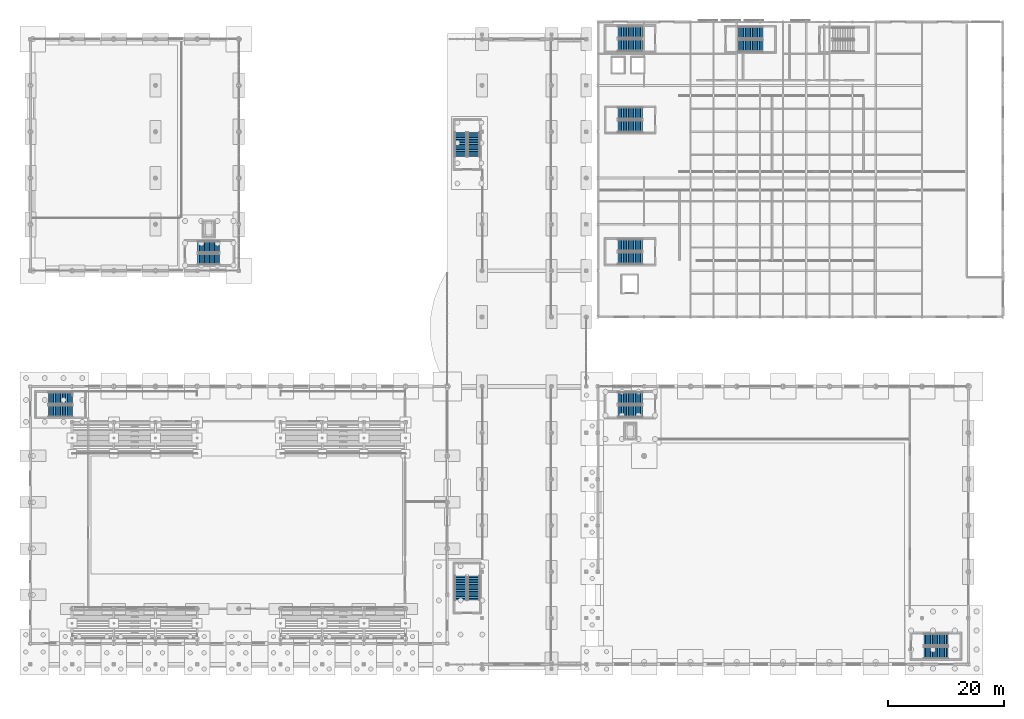
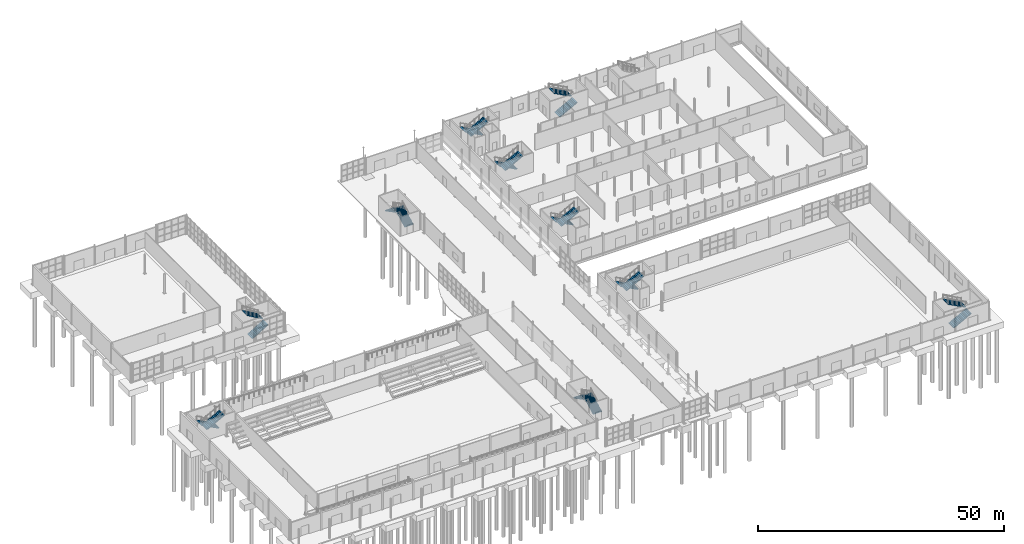
# One storey, part 84 of 101: 20 stair flights, 10 elements without a shape of their own.
"""IFC4 building model written with IfcOpenShell, lengths in metres."""

import ifcopenshell
import ifcopenshell.guid

model = None  # the IFC model being written
_history = None  # IfcOwnerHistory: only IFC2X3 demands one
_inside = {}  # id of a spatial element -> (the spatial element, [elements in it])
_under = {}  # id of a project, library or spatial element -> (it, [spatial elements below it])
_declared = {}  # id of a project -> (the project, [libraries it declares])
_typed = {}  # id of a type object -> (the type object, [elements of that type])
_made_of = {}  # id of a material, layer set ... -> (it, [elements and type objects made of it])


def new_model(schema):
    """Start an empty IFC model of exactly this schema.

    Asked for "IFC4X3", IfcOpenShell would pick the latest addendum, in which some entities
    have other attributes; the version numbers below select the first issue.
    IFC2X3 requires an IfcOwnerHistory on every rooted entity: one is made here for all.
    """
    global model, _history
    if schema == "IFC4X3":
        model = ifcopenshell.file(schema_version=(4, 3, 0, 0))
    else:
        model = ifcopenshell.file(schema=schema)
    _inside.clear()
    _under.clear()
    _declared.clear()
    _typed.clear()
    _made_of.clear()
    _history = None
    if model.schema == "IFC2X3":
        org = make("IfcOrganization", Name="unknown")
        user = make(
            "IfcPersonAndOrganization",
            ThePerson=make("IfcPerson", FamilyName="unknown"),
            TheOrganization=org,
        )
        app = make(
            "IfcApplication",
            ApplicationDeveloper=org,
            Version="unknown",
            ApplicationFullName="unknown",
            ApplicationIdentifier="unknown",
        )
        _history = make(
            "IfcOwnerHistory",
            OwningUser=user,
            OwningApplication=app,
            ChangeAction="ADDED",
            CreationDate=0,
        )
    return model


def make(cls, **values):
    """One entity of the class cls with the attributes given. An attribute that is None is left unset."""
    return model.create_entity(
        cls, **{name: value for name, value in values.items() if value is not None}
    )


def rooted(cls, **values):
    """An entity with a GlobalId (a new one), such as an element, a storey or a relation."""
    return make(cls, GlobalId=ifcopenshell.guid.new(), OwnerHistory=_history, **values)


def si_unit(unit_type, name, prefix=None):
    """IfcSIUnit, for example si_unit("LENGTHUNIT", "METRE", prefix="MILLI")."""
    return make("IfcSIUnit", UnitType=unit_type, Prefix=prefix, Name=name)


def derived_unit(unit_type, elements):
    """IfcDerivedUnit: a product of units, each with its exponent."""
    return make(
        "IfcDerivedUnit",
        Elements=[
            make("IfcDerivedUnitElement", Unit=unit, Exponent=power)
            for unit, power in elements
        ],
        UnitType=unit_type,
    )


def assignment(units):
    """IfcUnitAssignment: the units of a project."""
    return None if units is None else make("IfcUnitAssignment", Units=units)


def point(xyz):
    """IfcCartesianPoint."""
    return None if xyz is None else make("IfcCartesianPoint", Coordinates=xyz)


def direction(xyz):
    """IfcDirection."""
    return None if xyz is None else make("IfcDirection", DirectionRatios=xyz)


def frame(location, z_axis=None, x_axis=None):
    """IfcAxis2Placement3D, a coordinate frame: its origin and axes. An axis left out is left unset."""
    return make(
        "IfcAxis2Placement3D",
        Location=point(location),
        Axis=direction(z_axis),
        RefDirection=direction(x_axis),
    )


def origin():
    """The frame at (0, 0, 0) with its axes left unset."""
    return frame((0.0, 0.0, 0.0))


def place(relative_to, where):
    """IfcLocalPlacement: puts the frame where relative to a parent placement (None: the world)."""
    return make(
        "IfcLocalPlacement", PlacementRelTo=relative_to, RelativePlacement=where
    )


def context(
    kind, dimensions, precision=None, world=None, true_north=None, identifier=None
):
    """IfcGeometricRepresentationContext, for example the 3D "Model" context."""
    return make(
        "IfcGeometricRepresentationContext",
        ContextIdentifier=identifier,
        ContextType=kind,
        CoordinateSpaceDimension=dimensions,
        Precision=precision,
        WorldCoordinateSystem=world,
        TrueNorth=true_north,
    )


def subcontext(parent, identifier, kind, view, scale=None):
    """IfcGeometricRepresentationSubContext, for example "Body" below "Model"."""
    return make(
        "IfcGeometricRepresentationSubContext",
        ContextIdentifier=identifier,
        ContextType=kind,
        ParentContext=parent,
        TargetScale=scale,
        TargetView=view,
    )


def project(units=None, contexts=None):
    """IfcProject with its units and contexts."""
    return rooted(
        "IfcProject",
        Name="project",
        RepresentationContexts=contexts,
        UnitsInContext=assignment(units),
    )


def spatial(cls, under=None, at=None, **own):
    """A site, building, storey or space (cls), placed at a placement, below another one or the project."""
    s = rooted(cls, ObjectPlacement=at, **own)
    if under is not None:
        _under.setdefault(under.id(), (under, []))[1].append(s)
    return s


def polyline(points):
    """IfcPolyline through the points."""
    return make("IfcPolyline", Points=[point(p) for p in points])


def outline(outer, holes=None, kind="AREA"):
    """IfcArbitraryClosedProfileDef: a profile drawn as a closed curve; with holes, ...WithVoids."""
    if holes is None:
        return make("IfcArbitraryClosedProfileDef", ProfileType=kind, OuterCurve=outer)
    return make(
        "IfcArbitraryProfileDefWithVoids",
        ProfileType=kind,
        OuterCurve=outer,
        InnerCurves=holes,
    )


def extrude(swept, where, along, depth):
    """IfcExtrudedAreaSolid: the profile swept, set in the frame where, extruded along a direction by depth."""
    return make(
        "IfcExtrudedAreaSolid",
        SweptArea=swept,
        Position=where,
        ExtrudedDirection=direction(along),
        Depth=depth,
    )


def shape(context_of_items, identifier, shape_type, items):
    """IfcShapeRepresentation: the items that make up one representation, for example the "Body"."""
    return make(
        "IfcShapeRepresentation",
        ContextOfItems=context_of_items,
        RepresentationIdentifier=identifier,
        RepresentationType=shape_type,
        Items=items,
    )


def material(Name=None, Category=None):
    """IfcMaterial."""
    return make("IfcMaterial", Name=Name, Category=Category)


def made_of(thing, what):
    """Note that an element or type object is made of a material, layer set ...; save() writes the relation."""
    if what is not None:
        _made_of.setdefault(what.id(), (what, []))[1].append(thing)
    return thing


def type_object(cls, material=None, **own):
    """A type object (cls), such as IfcWallType, which elements share."""
    return made_of(rooted(cls, **own), material)


def element(
    cls,
    number,
    at=None,
    inside=None,
    cuts=None,
    type_object=None,
    material=None,
    context=None,
    identifier="Body",
    shape_type=None,
    held_by="IfcProductDefinitionShape",
    body=None,
    shapes=None,
    **own,
):
    """One element of the class cls, such as IfcWall. Its Tag is "e" and its number.

    at: its placement. inside: the storey or other place that contains it. cuts: it is an
    opening in that element (IfcRelVoidsElement). A single representation is given by context,
    identifier, shape_type and body (its items); several are given by shapes. held_by: the class
    of the entity that holds the representations. save() writes the other relations.
    """
    e = rooted(cls, Tag="e%d" % number, ObjectPlacement=at, **own)
    if body is not None:
        shapes = [shape(context, identifier, shape_type, body)]
    if shapes is not None:
        e.Representation = make(held_by, Representations=shapes)
    if inside is not None:
        _inside.setdefault(inside.id(), (inside, []))[1].append(e)
    if cuts is not None:
        rooted(
            "IfcRelVoidsElement", RelatingBuildingElement=cuts, RelatedOpeningElement=e
        )
    if type_object is not None:
        _typed.setdefault(type_object.id(), (type_object, []))[1].append(e)
    return made_of(e, material)


def aggregate(whole, parts):
    """IfcRelAggregates: a whole, such as a stair, and the parts it consists of."""
    return rooted("IfcRelAggregates", RelatingObject=whole, RelatedObjects=parts)


def save(model, path):
    """Write the relations noted so far, then the file.

    IfcRelAggregates (storeys below a building ...), IfcRelContainedInSpatialStructure (elements
    in a storey), IfcRelDefinesByType, IfcRelAssociatesMaterial and IfcRelDeclares: one each for
    every whole, place, type object, material and project.
    """
    for whole, parts in _under.values():
        aggregate(whole, parts)
    for where, things in _inside.values():
        rooted(
            "IfcRelContainedInSpatialStructure",
            RelatedElements=things,
            RelatingStructure=where,
        )
    for kind, things in _typed.values():
        rooted("IfcRelDefinesByType", RelatedObjects=things, RelatingType=kind)
    for what, things in _made_of.values():
        rooted("IfcRelAssociatesMaterial", RelatedObjects=things, RelatingMaterial=what)
    for by, libraries in _declared.values():
        rooted("IfcRelDeclares", RelatingContext=by, RelatedDefinitions=libraries)
    model.write(path)


model = new_model("IFC4")

# Units and contexts
model_context = context("Model", 3, precision=1e-05, world=origin(), true_north=direction((0.0, 1.0)))
body_context = subcontext(model_context, "Body", "Model", "MODEL_VIEW")
ifc_project = project(units=[si_unit("LENGTHUNIT", "METRE"), si_unit("AREAUNIT", "SQUARE_METRE"), si_unit("VOLUMEUNIT", "CUBIC_METRE"), si_unit("PLANEANGLEUNIT", "RADIAN"), si_unit("MASSUNIT", "GRAM", prefix="KILO"), derived_unit("THERMALTRANSMITTANCEUNIT", [(si_unit("POWERUNIT", "WATT"), 1), (si_unit("LENGTHUNIT", "METRE"), -2), (si_unit("THERMODYNAMICTEMPERATUREUNIT", "KELVIN"), -1)])], contexts=[model_context])

# Site, building, storey
site_placement = place(None, origin())
site = spatial("IfcSite", under=ifc_project, at=site_placement, CompositionType="ELEMENT")
building_placement = place(site_placement, origin())
building = spatial("IfcBuilding", under=site, at=building_placement, Name="Keldorne Ridge Multi-Sports Centre", CompositionType="ELEMENT")
storey_placement = place(building_placement, origin())
storey = spatial("IfcBuildingStorey", under=building, at=storey_placement, Name="L00", CompositionType="ELEMENT", Elevation=0.0)

# Stair, stair flights
ifc_material = material(Name="Concrete C35/45", Category="concrete")
stair_type = type_object("IfcStairType", Name="STR-S01", PredefinedType="HALF_TURN_STAIR", material=ifc_material)
stair_1_placement = place(storey_placement, origin())
stair_1 = element("IfcStair", 1, at=stair_1_placement, inside=storey, type_object=stair_type, Name="L00 North-East Primary Clinical Core C1", PredefinedType="HALF_TURN_STAIR")
stair_flight_type = type_object("IfcStairFlightType", Name="STF-F01", PredefinedType="STRAIGHT", material=ifc_material)
stair_flight_1_placement = place(storey_placement, frame((111.699951171875, 115.169921875, 0.0), z_axis=(0.0, 0.0, 1.0), x_axis=(-1.0, 0.0, 0.0)))
stair_flight_1 = element("IfcStairFlight", 2, at=stair_flight_1_placement, type_object=stair_flight_type, Name="ST-01 flight 1", NumberOfRisers=15, NumberOfTreads=14, PredefinedType="STRAIGHT", RiserHeight=0.16, TreadLength=0.3, context=body_context, shape_type="SweptSolid", body=[
    extrude(outline(polyline([(0.0, 0.0), (0.0, 0.159912109375), (0.300048828125, 0.159912109375), (0.300048828125, 0.320068359375), (0.60009765625, 0.320068359375), (0.60009765625, 0.47998046875), (0.89990234375, 0.47998046875), (0.89990234375, 0.639892578125), (1.199951171875, 0.639892578125), (1.199951171875, 0.800048828125), (1.5, 0.800048828125), (1.5, 0.9599609375), (1.800048828125, 0.9599609375), (1.800048828125, 1.1201171875), (2.10009765625, 1.1201171875), (2.10009765625, 1.280029296875), (2.39990234375, 1.280029296875), (2.39990234375, 1.43994140625), (2.699951171875, 1.43994140625), (2.699951171875, 1.60009765625), (3.0, 1.60009765625), (3.0, 1.760009765625), (3.300048828125, 1.760009765625), (3.300048828125, 1.919921875), (3.60009765625, 1.919921875), (3.60009765625, 2.080078125), (3.89990234375, 2.080078125), (3.89990234375, 2.239990234375), (4.199951171875, 2.239990234375), (4.199951171875, 2.39990234375), (4.199951171875, 2.070068359375), (0.318603515625, 0.0), (0.0, 0.0)])), frame((0.0, 1.030029296875, 0.0), z_axis=(0.0, -1.0, 0.0), x_axis=(1.0, 0.0, 0.0)), (0.0, 0.0, 1.0), 2.06005859375),
])
stair_flight_2_placement = place(storey_placement, frame((107.5, 112.929931640625, 2.39990234375), z_axis=(0.0, 0.0, 1.0), x_axis=(1.0, 0.0, 0.0)))
stair_flight_2 = element("IfcStairFlight", 3, at=stair_flight_2_placement, type_object=stair_flight_type, Name="ST-01 flight 2", NumberOfRisers=15, NumberOfTreads=14, PredefinedType="STRAIGHT", RiserHeight=0.16, TreadLength=0.3, context=body_context, shape_type="SweptSolid", body=[
    extrude(outline(polyline([(0.0, 0.0), (0.0, 0.159912109375), (0.300048828125, 0.159912109375), (0.300048828125, 0.320068359375), (0.60009765625, 0.320068359375), (0.60009765625, 0.47998046875), (0.89990234375, 0.47998046875), (0.89990234375, 0.639892578125), (1.199951171875, 0.639892578125), (1.199951171875, 0.800048828125), (1.5, 0.800048828125), (1.5, 0.9599609375), (1.800048828125, 0.9599609375), (1.800048828125, 1.1201171875), (2.10009765625, 1.1201171875), (2.10009765625, 1.280029296875), (2.39990234375, 1.280029296875), (2.39990234375, 1.43994140625), (2.699951171875, 1.43994140625), (2.699951171875, 1.60009765625), (3.0, 1.60009765625), (3.0, 1.760009765625), (3.300048828125, 1.760009765625), (3.300048828125, 1.919921875), (3.60009765625, 1.919921875), (3.60009765625, 2.080078125), (3.89990234375, 2.080078125), (3.89990234375, 2.239990234375), (4.199951171875, 2.239990234375), (4.199951171875, 2.39990234375), (4.199951171875, 2.070068359375), (0.318603515625, 0.0), (0.0, 0.0)])), frame((0.0, 1.030029296875, 0.0), z_axis=(0.0, -1.0, 0.0), x_axis=(1.0, 0.0, 0.0)), (0.0, 0.0, 1.0), 2.06005859375),
])
aggregate(stair_1, [stair_flight_1, stair_flight_2])

stair_2_placement = place(storey_placement, origin())
stair_2 = element("IfcStair", 4, at=stair_2_placement, inside=storey, type_object=stair_type, Name="L00 East Wing South Core C2", PredefinedType="HALF_TURN_STAIR")
stair_flight_3_placement = place(storey_placement, frame((111.699951171875, 78.3701171875, 0.0), z_axis=(0.0, 0.0, 1.0), x_axis=(-1.0, 0.0, 0.0)))
stair_flight_3 = element("IfcStairFlight", 5, at=stair_flight_3_placement, type_object=stair_flight_type, Name="ST-02 flight 1", NumberOfRisers=15, NumberOfTreads=14, PredefinedType="STRAIGHT", RiserHeight=0.16, TreadLength=0.3, context=body_context, shape_type="SweptSolid", body=[
    extrude(outline(polyline([(0.0, 0.0), (0.0, 0.159912109375), (0.300048828125, 0.159912109375), (0.300048828125, 0.320068359375), (0.60009765625, 0.320068359375), (0.60009765625, 0.47998046875), (0.89990234375, 0.47998046875), (0.89990234375, 0.639892578125), (1.199951171875, 0.639892578125), (1.199951171875, 0.800048828125), (1.5, 0.800048828125), (1.5, 0.9599609375), (1.800048828125, 0.9599609375), (1.800048828125, 1.1201171875), (2.10009765625, 1.1201171875), (2.10009765625, 1.280029296875), (2.39990234375, 1.280029296875), (2.39990234375, 1.43994140625), (2.699951171875, 1.43994140625), (2.699951171875, 1.60009765625), (3.0, 1.60009765625), (3.0, 1.760009765625), (3.300048828125, 1.760009765625), (3.300048828125, 1.919921875), (3.60009765625, 1.919921875), (3.60009765625, 2.080078125), (3.89990234375, 2.080078125), (3.89990234375, 2.239990234375), (4.199951171875, 2.239990234375), (4.199951171875, 2.39990234375), (4.199951171875, 2.070068359375), (0.318603515625, 0.0), (0.0, 0.0)])), frame((0.0, 1.030029296875, 0.0), z_axis=(0.0, -1.0, 0.0), x_axis=(1.0, 0.0, 0.0)), (0.0, 0.0, 1.0), 2.06005859375),
])
stair_flight_4_placement = place(storey_placement, frame((107.5, 76.1298828125, 2.39990234375), z_axis=(0.0, 0.0, 1.0), x_axis=(1.0, 0.0, 0.0)))
stair_flight_4 = element("IfcStairFlight", 6, at=stair_flight_4_placement, type_object=stair_flight_type, Name="ST-02 flight 2", NumberOfRisers=15, NumberOfTreads=14, PredefinedType="STRAIGHT", RiserHeight=0.16, TreadLength=0.3, context=body_context, shape_type="SweptSolid", body=[
    extrude(outline(polyline([(0.0, 0.0), (0.0, 0.159912109375), (0.300048828125, 0.159912109375), (0.300048828125, 0.320068359375), (0.60009765625, 0.320068359375), (0.60009765625, 0.47998046875), (0.89990234375, 0.47998046875), (0.89990234375, 0.639892578125), (1.199951171875, 0.639892578125), (1.199951171875, 0.800048828125), (1.5, 0.800048828125), (1.5, 0.9599609375), (1.800048828125, 0.9599609375), (1.800048828125, 1.1201171875), (2.10009765625, 1.1201171875), (2.10009765625, 1.280029296875), (2.39990234375, 1.280029296875), (2.39990234375, 1.43994140625), (2.699951171875, 1.43994140625), (2.699951171875, 1.60009765625), (3.0, 1.60009765625), (3.0, 1.760009765625), (3.300048828125, 1.760009765625), (3.300048828125, 1.919921875), (3.60009765625, 1.919921875), (3.60009765625, 2.080078125), (3.89990234375, 2.080078125), (3.89990234375, 2.239990234375), (4.199951171875, 2.239990234375), (4.199951171875, 2.39990234375), (4.199951171875, 2.070068359375), (0.318603515625, 0.0), (0.0, 0.0)])), frame((0.0, 1.030029296875, 0.0), z_axis=(0.0, -1.0, 0.0), x_axis=(1.0, 0.0, 0.0)), (0.0, 0.0, 1.0), 2.06005859375),
])
aggregate(stair_2, [stair_flight_3, stair_flight_4])

stair_3_placement = place(storey_placement, origin())
stair_3 = element("IfcStair", 7, at=stair_3_placement, inside=storey, type_object=stair_type, Name="L00 Stacked Courts Core C4", PredefinedType="HALF_TURN_STAIR")
stair_flight_5_placement = place(storey_placement, frame((111.699951171875, 51.969970703125, 0.0), z_axis=(0.0, 0.0, 1.0), x_axis=(-1.0, 0.0, 0.0)))
stair_flight_5 = element("IfcStairFlight", 8, at=stair_flight_5_placement, type_object=stair_flight_type, Name="ST-04 flight 1", NumberOfRisers=15, NumberOfTreads=14, PredefinedType="STRAIGHT", RiserHeight=0.16, TreadLength=0.3, context=body_context, shape_type="SweptSolid", body=[
    extrude(outline(polyline([(0.0, 0.0), (0.0, 0.159912109375), (0.300048828125, 0.159912109375), (0.300048828125, 0.320068359375), (0.60009765625, 0.320068359375), (0.60009765625, 0.47998046875), (0.89990234375, 0.47998046875), (0.89990234375, 0.639892578125), (1.199951171875, 0.639892578125), (1.199951171875, 0.800048828125), (1.5, 0.800048828125), (1.5, 0.9599609375), (1.800048828125, 0.9599609375), (1.800048828125, 1.1201171875), (2.10009765625, 1.1201171875), (2.10009765625, 1.280029296875), (2.39990234375, 1.280029296875), (2.39990234375, 1.43994140625), (2.699951171875, 1.43994140625), (2.699951171875, 1.60009765625), (3.0, 1.60009765625), (3.0, 1.760009765625), (3.300048828125, 1.760009765625), (3.300048828125, 1.919921875), (3.60009765625, 1.919921875), (3.60009765625, 2.080078125), (3.89990234375, 2.080078125), (3.89990234375, 2.239990234375), (4.199951171875, 2.239990234375), (4.199951171875, 2.39990234375), (4.199951171875, 2.070068359375), (0.318603515625, 0.0), (0.0, 0.0)])), frame((0.0, 1.030029296875, 0.0), z_axis=(0.0, -1.0, 0.0), x_axis=(1.0, 0.0, 0.0)), (0.0, 0.0, 1.0), 2.06005859375),
])
stair_flight_6_placement = place(storey_placement, frame((107.5, 49.72998046875, 2.39990234375), z_axis=(0.0, 0.0, 1.0), x_axis=(1.0, 0.0, 0.0)))
stair_flight_6 = element("IfcStairFlight", 9, at=stair_flight_6_placement, type_object=stair_flight_type, Name="ST-04 flight 2", NumberOfRisers=15, NumberOfTreads=14, PredefinedType="STRAIGHT", RiserHeight=0.16, TreadLength=0.3, context=body_context, shape_type="SweptSolid", body=[
    extrude(outline(polyline([(0.0, 0.0), (0.0, 0.159912109375), (0.300048828125, 0.159912109375), (0.300048828125, 0.320068359375), (0.60009765625, 0.320068359375), (0.60009765625, 0.47998046875), (0.89990234375, 0.47998046875), (0.89990234375, 0.639892578125), (1.199951171875, 0.639892578125), (1.199951171875, 0.800048828125), (1.5, 0.800048828125), (1.5, 0.9599609375), (1.800048828125, 0.9599609375), (1.800048828125, 1.1201171875), (2.10009765625, 1.1201171875), (2.10009765625, 1.280029296875), (2.39990234375, 1.280029296875), (2.39990234375, 1.43994140625), (2.699951171875, 1.43994140625), (2.699951171875, 1.60009765625), (3.0, 1.60009765625), (3.0, 1.760009765625), (3.300048828125, 1.760009765625), (3.300048828125, 1.919921875), (3.60009765625, 1.919921875), (3.60009765625, 2.080078125), (3.89990234375, 2.080078125), (3.89990234375, 2.239990234375), (4.199951171875, 2.239990234375), (4.199951171875, 2.39990234375), (4.199951171875, 2.070068359375), (0.318603515625, 0.0), (0.0, 0.0)])), frame((0.0, 1.030029296875, 0.0), z_axis=(0.0, -1.0, 0.0), x_axis=(1.0, 0.0, 0.0)), (0.0, 0.0, 1.0), 2.06005859375),
])
aggregate(stair_3, [stair_flight_5, stair_flight_6])

stair_4_placement = place(storey_placement, origin())
stair_4 = element("IfcStair", 10, at=stair_4_placement, inside=storey, type_object=stair_type, Name="L00 South-East Courts Escape Core C5", PredefinedType="HALF_TURN_STAIR")
stair_flight_7_placement = place(storey_placement, frame((160.300048828125, 8.030029296875, 0.0), z_axis=(0.0, 0.0, 1.0), x_axis=(1.0, 0.0, 0.0)))
stair_flight_7 = element("IfcStairFlight", 11, at=stair_flight_7_placement, type_object=stair_flight_type, Name="ST-05 flight 1", NumberOfRisers=15, NumberOfTreads=14, PredefinedType="STRAIGHT", RiserHeight=0.16, TreadLength=0.3, context=body_context, shape_type="SweptSolid", body=[
    extrude(outline(polyline([(0.0, 0.0), (0.0, 0.159912109375), (0.300048828125, 0.159912109375), (0.300048828125, 0.320068359375), (0.60009765625, 0.320068359375), (0.60009765625, 0.47998046875), (0.89990234375, 0.47998046875), (0.89990234375, 0.639892578125), (1.199951171875, 0.639892578125), (1.199951171875, 0.800048828125), (1.5, 0.800048828125), (1.5, 0.9599609375), (1.800048828125, 0.9599609375), (1.800048828125, 1.1201171875), (2.10009765625, 1.1201171875), (2.10009765625, 1.280029296875), (2.39990234375, 1.280029296875), (2.39990234375, 1.43994140625), (2.699951171875, 1.43994140625), (2.699951171875, 1.60009765625), (3.0, 1.60009765625), (3.0, 1.760009765625), (3.300048828125, 1.760009765625), (3.300048828125, 1.919921875), (3.60009765625, 1.919921875), (3.60009765625, 2.080078125), (3.89990234375, 2.080078125), (3.89990234375, 2.239990234375), (4.199951171875, 2.239990234375), (4.199951171875, 2.39990234375), (4.199951171875, 2.070068359375), (0.318603515625, 0.0), (0.0, 0.0)])), frame((0.0, 1.030029296875, 0.0), z_axis=(0.0, -1.0, 0.0), x_axis=(1.0, 0.0, 0.0)), (0.0, 0.0, 1.0), 2.06005859375),
])
stair_flight_8_placement = place(storey_placement, frame((164.5, 10.27001953125, 2.39990234375), z_axis=(0.0, 0.0, 1.0), x_axis=(-1.0, 0.0, 0.0)))
stair_flight_8 = element("IfcStairFlight", 12, at=stair_flight_8_placement, type_object=stair_flight_type, Name="ST-05 flight 2", NumberOfRisers=15, NumberOfTreads=14, PredefinedType="STRAIGHT", RiserHeight=0.16, TreadLength=0.3, context=body_context, shape_type="SweptSolid", body=[
    extrude(outline(polyline([(0.0, 0.0), (0.0, 0.159912109375), (0.300048828125, 0.159912109375), (0.300048828125, 0.320068359375), (0.60009765625, 0.320068359375), (0.60009765625, 0.47998046875), (0.89990234375, 0.47998046875), (0.89990234375, 0.639892578125), (1.199951171875, 0.639892578125), (1.199951171875, 0.800048828125), (1.5, 0.800048828125), (1.5, 0.9599609375), (1.800048828125, 0.9599609375), (1.800048828125, 1.1201171875), (2.10009765625, 1.1201171875), (2.10009765625, 1.280029296875), (2.39990234375, 1.280029296875), (2.39990234375, 1.43994140625), (2.699951171875, 1.43994140625), (2.699951171875, 1.60009765625), (3.0, 1.60009765625), (3.0, 1.760009765625), (3.300048828125, 1.760009765625), (3.300048828125, 1.919921875), (3.60009765625, 1.919921875), (3.60009765625, 2.080078125), (3.89990234375, 2.080078125), (3.89990234375, 2.239990234375), (4.199951171875, 2.239990234375), (4.199951171875, 2.39990234375), (4.199951171875, 2.070068359375), (0.318603515625, 0.0), (0.0, 0.0)])), frame((0.0, 1.030029296875, 0.0), z_axis=(0.0, -1.0, 0.0), x_axis=(1.0, 0.0, 0.0)), (0.0, 0.0, 1.0), 2.06005859375),
])
aggregate(stair_4, [stair_flight_7, stair_flight_8])

stair_5_placement = place(storey_placement, origin())
stair_5 = element("IfcStair", 13, at=stair_5_placement, inside=storey, type_object=stair_type, Name="L00 Climbing & Concourse Core C6", PredefinedType="HALF_TURN_STAIR")
stair_flight_9_placement = place(storey_placement, frame((34.89990234375, 75.97509765625, 0.0), z_axis=(0.0, 0.0, 1.0), x_axis=(1.0, 0.0, 0.0)))
stair_flight_9 = element("IfcStairFlight", 14, at=stair_flight_9_placement, type_object=stair_flight_type, Name="ST-06 flight 1", NumberOfRisers=14, NumberOfTreads=13, PredefinedType="STRAIGHT", RiserHeight=0.171428571, TreadLength=0.29, context=body_context, shape_type="SweptSolid", body=[
    extrude(outline(polyline([(0.0, 0.0), (0.0, 0.17138671875), (0.2900390625, 0.17138671875), (0.2900390625, 0.3427734375), (0.580078125, 0.3427734375), (0.580078125, 0.514404296875), (0.8701171875, 0.514404296875), (0.8701171875, 0.685791015625), (1.159912109375, 0.685791015625), (1.159912109375, 0.857177734375), (1.449951171875, 0.857177734375), (1.449951171875, 1.028564453125), (1.739990234375, 1.028564453125), (1.739990234375, 1.199951171875), (2.030029296875, 1.199951171875), (2.030029296875, 1.371337890625), (2.320068359375, 1.371337890625), (2.320068359375, 1.54296875), (2.610107421875, 1.54296875), (2.610107421875, 1.71435546875), (2.89990234375, 1.71435546875), (2.89990234375, 1.8857421875), (3.18994140625, 1.8857421875), (3.18994140625, 2.05712890625), (3.47998046875, 2.05712890625), (3.47998046875, 2.228515625), (3.77001953125, 2.228515625), (3.77001953125, 2.39990234375), (3.77001953125, 2.054443359375), (0.294677734375, 0.0), (0.0, 0.0)])), frame((0.0, 0.97509765625, 0.0), z_axis=(0.0, -1.0, 0.0), x_axis=(1.0, 0.0, 0.0)), (0.0, 0.0, 1.0), 1.949951171875),
])
stair_flight_10_placement = place(storey_placement, frame((38.669921875, 78.10498046875, 2.39990234375), z_axis=(0.0, 0.0, 1.0), x_axis=(-1.0, 0.0, 0.0)))
stair_flight_10 = element("IfcStairFlight", 15, at=stair_flight_10_placement, type_object=stair_flight_type, Name="ST-06 flight 2", NumberOfRisers=14, NumberOfTreads=13, PredefinedType="STRAIGHT", RiserHeight=0.171428571, TreadLength=0.29, context=body_context, shape_type="SweptSolid", body=[
    extrude(outline(polyline([(0.0, 0.0), (0.0, 0.17138671875), (0.2900390625, 0.17138671875), (0.2900390625, 0.3427734375), (0.580078125, 0.3427734375), (0.580078125, 0.514404296875), (0.8701171875, 0.514404296875), (0.8701171875, 0.685791015625), (1.159912109375, 0.685791015625), (1.159912109375, 0.857177734375), (1.449951171875, 0.857177734375), (1.449951171875, 1.028564453125), (1.739990234375, 1.028564453125), (1.739990234375, 1.199951171875), (2.030029296875, 1.199951171875), (2.030029296875, 1.371337890625), (2.320068359375, 1.371337890625), (2.320068359375, 1.54296875), (2.610107421875, 1.54296875), (2.610107421875, 1.71435546875), (2.89990234375, 1.71435546875), (2.89990234375, 1.8857421875), (3.18994140625, 1.8857421875), (3.18994140625, 2.05712890625), (3.47998046875, 2.05712890625), (3.47998046875, 2.228515625), (3.77001953125, 2.228515625), (3.77001953125, 2.39990234375), (3.77001953125, 2.054443359375), (0.294677734375, 0.0), (0.0, 0.0)])), frame((0.0, 0.97509765625, 0.0), z_axis=(0.0, -1.0, 0.0), x_axis=(1.0, 0.0, 0.0)), (0.0, 0.0, 1.0), 1.949951171875),
])
aggregate(stair_5, [stair_flight_9, stair_flight_10])

stair_6_placement = place(storey_placement, origin())
stair_6 = element("IfcStair", 16, at=stair_6_placement, inside=storey, type_object=stair_type, Name="L00 South Foyer Concourse Stair ST-07", PredefinedType="HALF_TURN_STAIR")
stair_flight_11_placement = place(storey_placement, frame((82.570068359375, 17.10009765625, 0.0), z_axis=(0.0, 0.0, 1.0), x_axis=(0.0, 1.0, 0.0)))
stair_flight_11 = element("IfcStairFlight", 17, at=stair_flight_11_placement, type_object=stair_flight_type, Name="ST-07 flight 1", NumberOfRisers=15, NumberOfTreads=14, PredefinedType="STRAIGHT", RiserHeight=0.16, TreadLength=0.3, context=body_context, shape_type="SweptSolid", body=[
    extrude(outline(polyline([(0.0, 0.0), (0.0, 0.159912109375), (0.300048828125, 0.159912109375), (0.300048828125, 0.320068359375), (0.60009765625, 0.320068359375), (0.60009765625, 0.47998046875), (0.89990234375, 0.47998046875), (0.89990234375, 0.639892578125), (1.199951171875, 0.639892578125), (1.199951171875, 0.800048828125), (1.5, 0.800048828125), (1.5, 0.9599609375), (1.800048828125, 0.9599609375), (1.800048828125, 1.1201171875), (2.10009765625, 1.1201171875), (2.10009765625, 1.280029296875), (2.39990234375, 1.280029296875), (2.39990234375, 1.43994140625), (2.699951171875, 1.43994140625), (2.699951171875, 1.60009765625), (3.0, 1.60009765625), (3.0, 1.760009765625), (3.300048828125, 1.760009765625), (3.300048828125, 1.919921875), (3.60009765625, 1.919921875), (3.60009765625, 2.080078125), (3.89990234375, 2.080078125), (3.89990234375, 2.239990234375), (4.199951171875, 2.239990234375), (4.199951171875, 2.39990234375), (4.199951171875, 2.070068359375), (0.318603515625, 0.0), (0.0, 0.0)])), frame((0.0, 1.030029296875, 0.0), z_axis=(0.0, -1.0, 0.0), x_axis=(1.0, 0.0, 0.0)), (0.0, 0.0, 1.0), 2.06005859375),
])
stair_flight_12_placement = place(storey_placement, frame((80.330078125, 21.300048828125, 2.39990234375), z_axis=(0.0, 0.0, 1.0), x_axis=(0.0, -1.0, 0.0)))
stair_flight_12 = element("IfcStairFlight", 18, at=stair_flight_12_placement, type_object=stair_flight_type, Name="ST-07 flight 2", NumberOfRisers=15, NumberOfTreads=14, PredefinedType="STRAIGHT", RiserHeight=0.16, TreadLength=0.3, context=body_context, shape_type="SweptSolid", body=[
    extrude(outline(polyline([(0.0, 0.0), (0.0, 0.159912109375), (0.300048828125, 0.159912109375), (0.300048828125, 0.320068359375), (0.60009765625, 0.320068359375), (0.60009765625, 0.47998046875), (0.89990234375, 0.47998046875), (0.89990234375, 0.639892578125), (1.199951171875, 0.639892578125), (1.199951171875, 0.800048828125), (1.5, 0.800048828125), (1.5, 0.9599609375), (1.800048828125, 0.9599609375), (1.800048828125, 1.1201171875), (2.10009765625, 1.1201171875), (2.10009765625, 1.280029296875), (2.39990234375, 1.280029296875), (2.39990234375, 1.43994140625), (2.699951171875, 1.43994140625), (2.699951171875, 1.60009765625), (3.0, 1.60009765625), (3.0, 1.760009765625), (3.300048828125, 1.760009765625), (3.300048828125, 1.919921875), (3.60009765625, 1.919921875), (3.60009765625, 2.080078125), (3.89990234375, 2.080078125), (3.89990234375, 2.239990234375), (4.199951171875, 2.239990234375), (4.199951171875, 2.39990234375), (4.199951171875, 2.070068359375), (0.318603515625, 0.0), (0.0, 0.0)])), frame((0.0, 1.030029296875, 0.0), z_axis=(0.0, -1.0, 0.0), x_axis=(1.0, 0.0, 0.0)), (0.0, 0.0, 1.0), 2.06005859375),
])
aggregate(stair_6, [stair_flight_11, stair_flight_12])

stair_7_placement = place(storey_placement, origin())
stair_7 = element("IfcStair", 19, at=stair_7_placement, inside=storey, type_object=stair_type, Name="L00 North Foyer Concourse Stair ST-08", PredefinedType="HALF_TURN_STAIR")
stair_flight_13_placement = place(storey_placement, frame((82.570068359375, 93.699951171875, 0.0), z_axis=(0.0, 0.0, 1.0), x_axis=(0.0, 1.0, 0.0)))
stair_flight_13 = element("IfcStairFlight", 20, at=stair_flight_13_placement, type_object=stair_flight_type, Name="ST-08 flight 1", NumberOfRisers=15, NumberOfTreads=14, PredefinedType="STRAIGHT", RiserHeight=0.16, TreadLength=0.3, context=body_context, shape_type="SweptSolid", body=[
    extrude(outline(polyline([(0.0, 0.0), (0.0, 0.159912109375), (0.300048828125, 0.159912109375), (0.300048828125, 0.320068359375), (0.60009765625, 0.320068359375), (0.60009765625, 0.47998046875), (0.89990234375, 0.47998046875), (0.89990234375, 0.639892578125), (1.199951171875, 0.639892578125), (1.199951171875, 0.800048828125), (1.5, 0.800048828125), (1.5, 0.9599609375), (1.800048828125, 0.9599609375), (1.800048828125, 1.1201171875), (2.10009765625, 1.1201171875), (2.10009765625, 1.280029296875), (2.39990234375, 1.280029296875), (2.39990234375, 1.43994140625), (2.699951171875, 1.43994140625), (2.699951171875, 1.60009765625), (3.0, 1.60009765625), (3.0, 1.760009765625), (3.300048828125, 1.760009765625), (3.300048828125, 1.919921875), (3.60009765625, 1.919921875), (3.60009765625, 2.080078125), (3.89990234375, 2.080078125), (3.89990234375, 2.239990234375), (4.199951171875, 2.239990234375), (4.199951171875, 2.39990234375), (4.199951171875, 2.070068359375), (0.318603515625, 0.0), (0.0, 0.0)])), frame((0.0, 1.030029296875, 0.0), z_axis=(0.0, -1.0, 0.0), x_axis=(1.0, 0.0, 0.0)), (0.0, 0.0, 1.0), 2.06005859375),
])
stair_flight_14_placement = place(storey_placement, frame((80.330078125, 97.89990234375, 2.39990234375), z_axis=(0.0, 0.0, 1.0), x_axis=(0.0, -1.0, 0.0)))
stair_flight_14 = element("IfcStairFlight", 21, at=stair_flight_14_placement, type_object=stair_flight_type, Name="ST-08 flight 2", NumberOfRisers=15, NumberOfTreads=14, PredefinedType="STRAIGHT", RiserHeight=0.16, TreadLength=0.3, context=body_context, shape_type="SweptSolid", body=[
    extrude(outline(polyline([(0.0, 0.0), (0.0, 0.159912109375), (0.300048828125, 0.159912109375), (0.300048828125, 0.320068359375), (0.60009765625, 0.320068359375), (0.60009765625, 0.47998046875), (0.89990234375, 0.47998046875), (0.89990234375, 0.639892578125), (1.199951171875, 0.639892578125), (1.199951171875, 0.800048828125), (1.5, 0.800048828125), (1.5, 0.9599609375), (1.800048828125, 0.9599609375), (1.800048828125, 1.1201171875), (2.10009765625, 1.1201171875), (2.10009765625, 1.280029296875), (2.39990234375, 1.280029296875), (2.39990234375, 1.43994140625), (2.699951171875, 1.43994140625), (2.699951171875, 1.60009765625), (3.0, 1.60009765625), (3.0, 1.760009765625), (3.300048828125, 1.760009765625), (3.300048828125, 1.919921875), (3.60009765625, 1.919921875), (3.60009765625, 2.080078125), (3.89990234375, 2.080078125), (3.89990234375, 2.239990234375), (4.199951171875, 2.239990234375), (4.199951171875, 2.39990234375), (4.199951171875, 2.070068359375), (0.318603515625, 0.0), (0.0, 0.0)])), frame((0.0, 1.030029296875, 0.0), z_axis=(0.0, -1.0, 0.0), x_axis=(1.0, 0.0, 0.0)), (0.0, 0.0, 1.0), 2.06005859375),
])
aggregate(stair_7, [stair_flight_13, stair_flight_14])

stair_8_placement = place(storey_placement, origin())
stair_8 = element("IfcStair", 22, at=stair_8_placement, inside=storey, type_object=stair_type, Name="L00 West Competition Concourse Escape Stair ST-09", PredefinedType="HALF_TURN_STAIR")
stair_flight_15_placement = place(storey_placement, frame((13.300048828125, 51.97509765625, 0.0), z_axis=(0.0, 0.0, 1.0), x_axis=(-1.0, 0.0, 0.0)))
stair_flight_15 = element("IfcStairFlight", 23, at=stair_flight_15_placement, type_object=stair_flight_type, Name="ST-09 flight 1", NumberOfRisers=15, NumberOfTreads=14, PredefinedType="STRAIGHT", RiserHeight=0.16, TreadLength=0.3, context=body_context, shape_type="SweptSolid", body=[
    extrude(outline(polyline([(0.0, 0.0), (0.0, 0.159912109375), (0.300048828125, 0.159912109375), (0.300048828125, 0.320068359375), (0.60009765625, 0.320068359375), (0.60009765625, 0.47998046875), (0.89990234375, 0.47998046875), (0.89990234375, 0.639892578125), (1.199951171875, 0.639892578125), (1.199951171875, 0.800048828125), (1.5, 0.800048828125), (1.5, 0.9599609375), (1.800048828125, 0.9599609375), (1.800048828125, 1.1201171875), (2.10009765625, 1.1201171875), (2.10009765625, 1.280029296875), (2.39990234375, 1.280029296875), (2.39990234375, 1.43994140625), (2.699951171875, 1.43994140625), (2.699951171875, 1.60009765625), (3.0, 1.60009765625), (3.0, 1.760009765625), (3.300048828125, 1.760009765625), (3.300048828125, 1.919921875), (3.60009765625, 1.919921875), (3.60009765625, 2.080078125), (3.89990234375, 2.080078125), (3.89990234375, 2.239990234375), (4.199951171875, 2.239990234375), (4.199951171875, 2.39990234375), (4.199951171875, 2.070068359375), (0.318603515625, 0.0), (0.0, 0.0)])), frame((0.0, 1.02490234375, 0.0), z_axis=(0.0, -1.0, 0.0), x_axis=(1.0, 0.0, 0.0)), (0.0, 0.0, 1.0), 2.050048828125),
])
stair_flight_16_placement = place(storey_placement, frame((9.10009765625, 49.7451171875, 2.39990234375), z_axis=(0.0, 0.0, 1.0), x_axis=(1.0, 0.0, 0.0)))
stair_flight_16 = element("IfcStairFlight", 24, at=stair_flight_16_placement, type_object=stair_flight_type, Name="ST-09 flight 2", NumberOfRisers=15, NumberOfTreads=14, PredefinedType="STRAIGHT", RiserHeight=0.16, TreadLength=0.3, context=body_context, shape_type="SweptSolid", body=[
    extrude(outline(polyline([(0.0, 0.0), (0.0, 0.159912109375), (0.300048828125, 0.159912109375), (0.300048828125, 0.320068359375), (0.60009765625, 0.320068359375), (0.60009765625, 0.47998046875), (0.89990234375, 0.47998046875), (0.89990234375, 0.639892578125), (1.199951171875, 0.639892578125), (1.199951171875, 0.800048828125), (1.5, 0.800048828125), (1.5, 0.9599609375), (1.800048828125, 0.9599609375), (1.800048828125, 1.1201171875), (2.10009765625, 1.1201171875), (2.10009765625, 1.280029296875), (2.39990234375, 1.280029296875), (2.39990234375, 1.43994140625), (2.699951171875, 1.43994140625), (2.699951171875, 1.60009765625), (3.0, 1.60009765625), (3.0, 1.760009765625), (3.300048828125, 1.760009765625), (3.300048828125, 1.919921875), (3.60009765625, 1.919921875), (3.60009765625, 2.080078125), (3.89990234375, 2.080078125), (3.89990234375, 2.239990234375), (4.199951171875, 2.239990234375), (4.199951171875, 2.39990234375), (4.199951171875, 2.070068359375), (0.318603515625, 0.0), (0.0, 0.0)])), frame((0.0, 1.02490234375, 0.0), z_axis=(0.0, -1.0, 0.0), x_axis=(1.0, 0.0, 0.0)), (0.0, 0.0, 1.0), 2.050048828125),
])
aggregate(stair_8, [stair_flight_15, stair_flight_16])

stair_9_placement = place(storey_placement, origin())
stair_9 = element("IfcStair", 25, at=stair_9_placement, inside=storey, type_object=stair_type, Name="L00 Upper Studio Escape Stair ST-10", PredefinedType="HALF_TURN_STAIR")
stair_flight_17_placement = place(storey_placement, frame((128.300048828125, 112.830078125, 0.0), z_axis=(0.0, 0.0, 1.0), x_axis=(1.0, 0.0, 0.0)))
stair_flight_17 = element("IfcStairFlight", 26, at=stair_flight_17_placement, type_object=stair_flight_type, Name="ST-10 flight 1", NumberOfRisers=15, NumberOfTreads=14, PredefinedType="STRAIGHT", RiserHeight=0.16, TreadLength=0.3, context=body_context, shape_type="SweptSolid", body=[
    extrude(outline(polyline([(0.0, 0.0), (0.0, 0.159912109375), (0.300048828125, 0.159912109375), (0.300048828125, 0.320068359375), (0.60009765625, 0.320068359375), (0.60009765625, 0.47998046875), (0.89990234375, 0.47998046875), (0.89990234375, 0.639892578125), (1.199951171875, 0.639892578125), (1.199951171875, 0.800048828125), (1.5, 0.800048828125), (1.5, 0.9599609375), (1.800048828125, 0.9599609375), (1.800048828125, 1.1201171875), (2.10009765625, 1.1201171875), (2.10009765625, 1.280029296875), (2.39990234375, 1.280029296875), (2.39990234375, 1.43994140625), (2.699951171875, 1.43994140625), (2.699951171875, 1.60009765625), (3.0, 1.60009765625), (3.0, 1.760009765625), (3.300048828125, 1.760009765625), (3.300048828125, 1.919921875), (3.60009765625, 1.919921875), (3.60009765625, 2.080078125), (3.89990234375, 2.080078125), (3.89990234375, 2.239990234375), (4.199951171875, 2.239990234375), (4.199951171875, 2.39990234375), (4.199951171875, 2.070068359375), (0.318603515625, 0.0), (0.0, 0.0)])), frame((0.0, 1.030029296875, 0.0), z_axis=(0.0, -1.0, 0.0), x_axis=(1.0, 0.0, 0.0)), (0.0, 0.0, 1.0), 2.06005859375),
])
stair_flight_18_placement = place(storey_placement, frame((132.5, 115.070068359375, 2.39990234375), z_axis=(0.0, 0.0, 1.0), x_axis=(-1.0, 0.0, 0.0)))
stair_flight_18 = element("IfcStairFlight", 27, at=stair_flight_18_placement, type_object=stair_flight_type, Name="ST-10 flight 2", NumberOfRisers=15, NumberOfTreads=14, PredefinedType="STRAIGHT", RiserHeight=0.16, TreadLength=0.3, context=body_context, shape_type="SweptSolid", body=[
    extrude(outline(polyline([(0.0, 0.0), (0.0, 0.159912109375), (0.300048828125, 0.159912109375), (0.300048828125, 0.320068359375), (0.60009765625, 0.320068359375), (0.60009765625, 0.47998046875), (0.89990234375, 0.47998046875), (0.89990234375, 0.639892578125), (1.199951171875, 0.639892578125), (1.199951171875, 0.800048828125), (1.5, 0.800048828125), (1.5, 0.9599609375), (1.800048828125, 0.9599609375), (1.800048828125, 1.1201171875), (2.10009765625, 1.1201171875), (2.10009765625, 1.280029296875), (2.39990234375, 1.280029296875), (2.39990234375, 1.43994140625), (2.699951171875, 1.43994140625), (2.699951171875, 1.60009765625), (3.0, 1.60009765625), (3.0, 1.760009765625), (3.300048828125, 1.760009765625), (3.300048828125, 1.919921875), (3.60009765625, 1.919921875), (3.60009765625, 2.080078125), (3.89990234375, 2.080078125), (3.89990234375, 2.239990234375), (4.199951171875, 2.239990234375), (4.199951171875, 2.39990234375), (4.199951171875, 2.070068359375), (0.318603515625, 0.0), (0.0, 0.0)])), frame((0.0, 1.030029296875, 0.0), z_axis=(0.0, -1.0, 0.0), x_axis=(1.0, 0.0, 0.0)), (0.0, 0.0, 1.0), 2.06005859375),
])
aggregate(stair_9, [stair_flight_17, stair_flight_18])

stair_10_placement = place(storey_placement, origin())
stair_10 = element("IfcStair", 28, at=stair_10_placement, inside=storey, type_object=stair_type, Name="L00 Mid-Wing Escape Stair ST-11", PredefinedType="HALF_TURN_STAIR")
stair_flight_19_placement = place(storey_placement, frame((111.699951171875, 101.169921875, 0.0), z_axis=(0.0, 0.0, 1.0), x_axis=(-1.0, 0.0, 0.0)))
stair_flight_19 = element("IfcStairFlight", 29, at=stair_flight_19_placement, type_object=stair_flight_type, Name="ST-11 flight 1", NumberOfRisers=15, NumberOfTreads=14, PredefinedType="STRAIGHT", RiserHeight=0.16, TreadLength=0.3, context=body_context, shape_type="SweptSolid", body=[
    extrude(outline(polyline([(0.0, 0.0), (0.0, 0.159912109375), (0.300048828125, 0.159912109375), (0.300048828125, 0.320068359375), (0.60009765625, 0.320068359375), (0.60009765625, 0.47998046875), (0.89990234375, 0.47998046875), (0.89990234375, 0.639892578125), (1.199951171875, 0.639892578125), (1.199951171875, 0.800048828125), (1.5, 0.800048828125), (1.5, 0.9599609375), (1.800048828125, 0.9599609375), (1.800048828125, 1.1201171875), (2.10009765625, 1.1201171875), (2.10009765625, 1.280029296875), (2.39990234375, 1.280029296875), (2.39990234375, 1.43994140625), (2.699951171875, 1.43994140625), (2.699951171875, 1.60009765625), (3.0, 1.60009765625), (3.0, 1.760009765625), (3.300048828125, 1.760009765625), (3.300048828125, 1.919921875), (3.60009765625, 1.919921875), (3.60009765625, 2.080078125), (3.89990234375, 2.080078125), (3.89990234375, 2.239990234375), (4.199951171875, 2.239990234375), (4.199951171875, 2.39990234375), (4.199951171875, 2.070068359375), (0.318603515625, 0.0), (0.0, 0.0)])), frame((0.0, 1.030029296875, 0.0), z_axis=(0.0, -1.0, 0.0), x_axis=(1.0, 0.0, 0.0)), (0.0, 0.0, 1.0), 2.06005859375),
])
stair_flight_20_placement = place(storey_placement, frame((107.5, 98.929931640625, 2.39990234375), z_axis=(0.0, 0.0, 1.0), x_axis=(1.0, 0.0, 0.0)))
stair_flight_20 = element("IfcStairFlight", 30, at=stair_flight_20_placement, type_object=stair_flight_type, Name="ST-11 flight 2", NumberOfRisers=15, NumberOfTreads=14, PredefinedType="STRAIGHT", RiserHeight=0.16, TreadLength=0.3, context=body_context, shape_type="SweptSolid", body=[
    extrude(outline(polyline([(0.0, 0.0), (0.0, 0.159912109375), (0.300048828125, 0.159912109375), (0.300048828125, 0.320068359375), (0.60009765625, 0.320068359375), (0.60009765625, 0.47998046875), (0.89990234375, 0.47998046875), (0.89990234375, 0.639892578125), (1.199951171875, 0.639892578125), (1.199951171875, 0.800048828125), (1.5, 0.800048828125), (1.5, 0.9599609375), (1.800048828125, 0.9599609375), (1.800048828125, 1.1201171875), (2.10009765625, 1.1201171875), (2.10009765625, 1.280029296875), (2.39990234375, 1.280029296875), (2.39990234375, 1.43994140625), (2.699951171875, 1.43994140625), (2.699951171875, 1.60009765625), (3.0, 1.60009765625), (3.0, 1.760009765625), (3.300048828125, 1.760009765625), (3.300048828125, 1.919921875), (3.60009765625, 1.919921875), (3.60009765625, 2.080078125), (3.89990234375, 2.080078125), (3.89990234375, 2.239990234375), (4.199951171875, 2.239990234375), (4.199951171875, 2.39990234375), (4.199951171875, 2.070068359375), (0.318603515625, 0.0), (0.0, 0.0)])), frame((0.0, 1.030029296875, 0.0), z_axis=(0.0, -1.0, 0.0), x_axis=(1.0, 0.0, 0.0)), (0.0, 0.0, 1.0), 2.06005859375),
])
aggregate(stair_10, [stair_flight_19, stair_flight_20])

save(model, "model.ifc")
